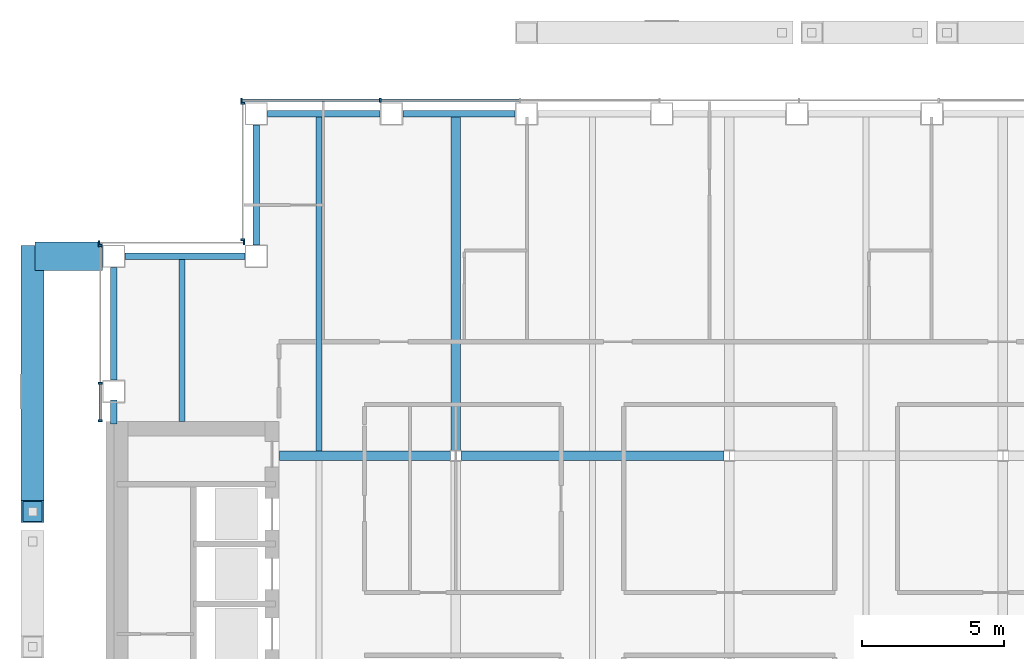
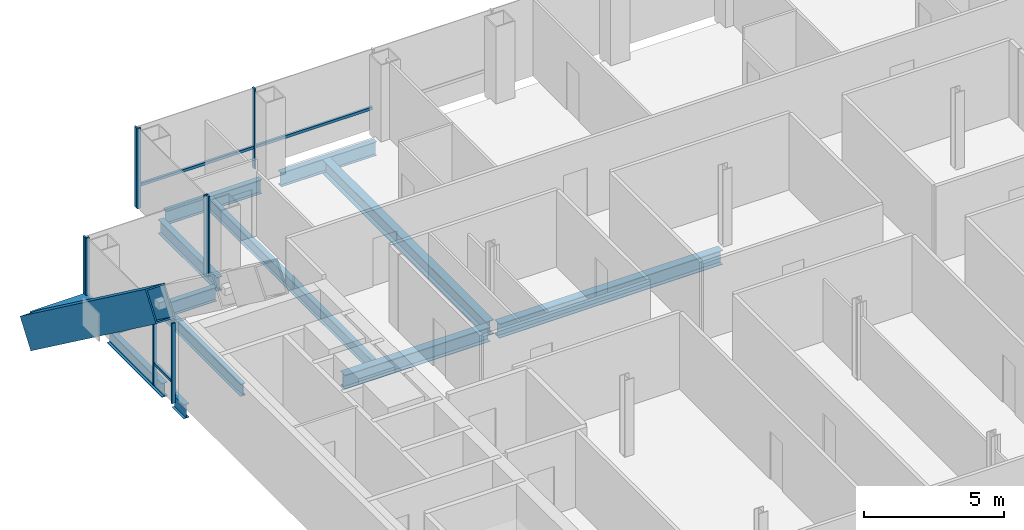
# One storey, part 8 of 17: 13 members, 12 beams, 4 elements without a shape of their own.
"""IFC4 building model written with IfcOpenShell, lengths in metres."""

from ifc_helpers import new_model, si_unit, direction, frame, origin, origin_2d, place, context, subcontext, project, spatial, rectangle, hollow_rectangle, i_section, extrude, material, material_profile, profile_set, type_object, element, aggregate, save


model = new_model("IFC4")

# Units and contexts
model_context = context("Model", 3, precision=1e-05, world=origin(), true_north=direction((0.0, 1.0)))
body_context = subcontext(model_context, "Body", "Model", "MODEL_VIEW")
ifc_project = project(units=[si_unit("LENGTHUNIT", "METRE"), si_unit("AREAUNIT", "SQUARE_METRE"), si_unit("VOLUMEUNIT", "CUBIC_METRE"), si_unit("PLANEANGLEUNIT", "RADIAN"), si_unit("MASSUNIT", "GRAM", prefix="KILO")], contexts=[model_context])

# Site, building, storey
site_placement = place(None, origin())
site = spatial("IfcSite", under=ifc_project, at=site_placement, CompositionType="ELEMENT")
building_placement = place(site_placement, origin())
building = spatial("IfcBuilding", under=site, at=building_placement, Name="Cobrizo Arcos Hotel Tower", CompositionType="ELEMENT")
storey_placement = place(building_placement, frame((0.0, 0.0, 151.5)))
storey = spatial("IfcBuildingStorey", under=building, at=storey_placement, Name="L38", CompositionType="ELEMENT", Elevation=151.5)

# Beam
ifc_material_1 = material(Name="Steel ASTM A572 Grade 50", Category="steel")
ifc_material_profile_1 = material_profile(ifc_material_1, hollow_rectangle(XDim=1.0, YDim=1.0, WallThickness=0.06005859375, at=origin_2d()), Name="BOX 1000X1000X60")
ifc_profile_set_1 = profile_set([ifc_material_profile_1], Name="Steel ASTM A572 Grade 50")
beam_type_1 = type_object("IfcBeamType", Name="BOX 1000X1000X60 brace connector strut", PredefinedType="BEAM", material=ifc_profile_set_1)
beam_1_placement = place(storey_placement, frame((-21.989990234375, 16.60009765625, 0.5), z_axis=(-1.0, 0.0, 0.0), x_axis=(0.0, -1.0, 0.0)))
element("IfcBeam", 1, at=beam_1_placement, inside=storey, type_object=beam_type_1, Name="Perimeter brace stub BS1, zone Z3, west face, offset +16.60 m, L38", PredefinedType="BEAM", context=body_context, shape_type="SweptSolid", body=[
    extrude(hollow_rectangle(XDim=1.0, YDim=1.0, WallThickness=0.06005859375, at=origin_2d()), origin(), (0.0, 0.0, 1.0), 2.380126953125),
])

# Member
ifc_material_profile_2 = material_profile(ifc_material_1, hollow_rectangle(XDim=0.800048828125, YDim=1.300048828125, WallThickness=0.06005859375, at=origin_2d()), Name="BOX 800X1300X60")
ifc_profile_set_2 = profile_set([ifc_material_profile_2], Name="Steel ASTM A572 Grade 50")
member_type_1 = type_object("IfcMemberType", Name="BOX 800X1300X60 perimeter brace", PredefinedType="BRACE", material=ifc_profile_set_2)
member_1_placement = place(storey_placement, frame((-24.449951171875, 16.60009765625, 0.5), z_axis=(0.0, -0.804628681962, 0.593778312305), x_axis=(1.0, 0.0, 0.0)))
element("IfcMember", 2, at=member_1_placement, inside=storey, type_object=member_type_1, Name="Perimeter brace PBR3, zone Z3, west face, no. 06", PredefinedType="BRACE", context=body_context, shape_type="SweptSolid", body=[
    extrude(hollow_rectangle(XDim=0.800048828125, YDim=1.300048828125, WallThickness=0.06005859375, at=origin_2d()), origin(), (0.0, 0.0, 1.0), 11.138916015625),
])

# Curtain wall, members
ifc_material_2 = material(Name="Aluminium 6063-T6 anodised bronze", Category="aluminium")
curtain_wall_type = type_object("IfcCurtainWallType", Name="CW-A guest facade", PredefinedType="NOTDEFINED", material=ifc_material_2)
curtain_wall_1_placement = place(storey_placement, origin())
curtain_wall_1 = element("IfcCurtainWall", 3, at=curtain_wall_1_placement, inside=storey, type_object=curtain_wall_type, Name="CW-A L38 N face", PredefinedType="NOTDEFINED")
ifc_material_profile_3 = material_profile(ifc_material_2, rectangle(XDim=0.14990234375, YDim=0.06005859375, at=origin_2d()), Name="CW-A mullion 150x60")
ifc_profile_set_3 = profile_set([ifc_material_profile_3], Name="Aluminium 6063-T6 anodised bronze")
member_type_2 = type_object("IfcMemberType", Name="CW-A mullion 150x60", PredefinedType="MULLION", material=ifc_profile_set_3)
member_2_placement = place(storey_placement, frame((-12.25, 22.074951171875, 0.0), z_axis=(0.0, 0.0, 1.0), x_axis=(0.0, 1.0, 0.0)))
member_2 = element("IfcMember", 4, at=member_2_placement, type_object=member_type_2, Name="CW-A mullion 7", PredefinedType="MULLION", context=body_context, shape_type="SweptSolid", body=[
    extrude(rectangle(XDim=0.14990234375, YDim=0.06005859375, at=origin_2d()), origin(), (0.0, 0.0, 1.0), 3.5),
])
member_3_placement = place(storey_placement, frame((-17.1201171875, 22.074951171875, 0.0), z_axis=(0.0, 0.0, 1.0), x_axis=(0.0, 1.0, 0.0)))
member_3 = element("IfcMember", 5, at=member_3_placement, type_object=member_type_2, Name="CW-A mullion 8", PredefinedType="MULLION", context=body_context, shape_type="SweptSolid", body=[
    extrude(rectangle(XDim=0.14990234375, YDim=0.06005859375, at=origin_2d()), origin(), (0.0, 0.0, 1.0), 3.5),
])

curtain_wall_2_placement = place(storey_placement, origin())
curtain_wall_2 = element("IfcCurtainWall", 6, at=curtain_wall_2_placement, inside=storey, type_object=curtain_wall_type, Name="CW-A L38 W face", PredefinedType="NOTDEFINED")
member_4_placement = place(storey_placement, frame((-17.074951171875, 21.969970703125, 0.0), z_axis=(0.0, 0.0, 1.0), x_axis=(-1.0, 0.0, 0.0)))
member_4 = element("IfcMember", 7, at=member_4_placement, type_object=member_type_2, Name="CW-A mullion 1", PredefinedType="MULLION", context=body_context, shape_type="SweptSolid", body=[
    extrude(rectangle(XDim=0.14990234375, YDim=0.06005859375, at=origin_2d()), origin(), (0.0, 0.0, 1.0), 3.5),
])
member_5_placement = place(storey_placement, frame((-17.074951171875, 17.179931640625, 0.0), z_axis=(0.0, 0.0, 1.0), x_axis=(-1.0, 0.0, 0.0)))
member_5 = element("IfcMember", 8, at=member_5_placement, type_object=member_type_2, Name="CW-A mullion 2", PredefinedType="MULLION", context=body_context, shape_type="SweptSolid", body=[
    extrude(rectangle(XDim=0.14990234375, YDim=0.06005859375, at=origin_2d()), origin(), (0.0, 0.0, 1.0), 3.5),
])
aggregate(curtain_wall_2, [member_4, member_5])

curtain_wall_3_placement = place(storey_placement, origin())
curtain_wall_3 = element("IfcCurtainWall", 9, at=curtain_wall_3_placement, inside=storey, type_object=curtain_wall_type, Name="CW-A L38 N face", PredefinedType="NOTDEFINED")
member_6_placement = place(storey_placement, frame((-17.030029296875, 17.074951171875, 0.0), z_axis=(0.0, 0.0, 1.0), x_axis=(0.0, 1.0, 0.0)))
member_6 = element("IfcMember", 10, at=member_6_placement, type_object=member_type_2, Name="CW-A mullion 1", PredefinedType="MULLION", context=body_context, shape_type="SweptSolid", body=[
    extrude(rectangle(XDim=0.14990234375, YDim=0.06005859375, at=origin_2d()), origin(), (0.0, 0.0, 1.0), 3.5),
])
member_7_placement = place(storey_placement, frame((-22.1201171875, 17.074951171875, 0.0), z_axis=(0.0, 0.0, 1.0), x_axis=(0.0, 1.0, 0.0)))
member_7 = element("IfcMember", 11, at=member_7_placement, type_object=member_type_2, Name="CW-A mullion 2", PredefinedType="MULLION", context=body_context, shape_type="SweptSolid", body=[
    extrude(rectangle(XDim=0.14990234375, YDim=0.06005859375, at=origin_2d()), origin(), (0.0, 0.0, 1.0), 3.5),
])
aggregate(curtain_wall_3, [member_6, member_7])

curtain_wall_4_placement = place(storey_placement, origin())
curtain_wall_4 = element("IfcCurtainWall", 12, at=curtain_wall_4_placement, inside=storey, type_object=curtain_wall_type, Name="CW-A L38 W face", PredefinedType="NOTDEFINED")
member_8_placement = place(storey_placement, frame((-22.074951171875, 16.969970703125, 0.0), z_axis=(0.0, 0.0, 1.0), x_axis=(-1.0, 0.0, 0.0)))
member_8 = element("IfcMember", 13, at=member_8_placement, type_object=member_type_2, Name="CW-A mullion 1", PredefinedType="MULLION", context=body_context, shape_type="SweptSolid", body=[
    extrude(rectangle(XDim=0.14990234375, YDim=0.06005859375, at=origin_2d()), origin(), (0.0, 0.0, 1.0), 3.5),
])
member_9_placement = place(storey_placement, frame((-22.074951171875, 12.142822265625, 0.0), z_axis=(0.0, 0.0, 1.0), x_axis=(-1.0, 0.0, 0.0)))
member_9 = element("IfcMember", 14, at=member_9_placement, type_object=member_type_2, Name="CW-A mullion 2", PredefinedType="MULLION", context=body_context, shape_type="SweptSolid", body=[
    extrude(rectangle(XDim=0.14990234375, YDim=0.06005859375, at=origin_2d()), origin(), (0.0, 0.0, 1.0), 3.5),
])
member_10_placement = place(storey_placement, frame((-22.074951171875, 10.830078125, 0.0), z_axis=(0.0, 0.0, 1.0), x_axis=(-1.0, 0.0, 0.0)))
member_10 = element("IfcMember", 15, at=member_10_placement, type_object=member_type_2, Name="CW-A mullion 3", PredefinedType="MULLION", context=body_context, shape_type="SweptSolid", body=[
    extrude(rectangle(XDim=0.14990234375, YDim=0.06005859375, at=origin_2d()), origin(), (0.0, 0.0, 1.0), 3.5),
])

# Member
ifc_material_profile_4 = material_profile(ifc_material_2, rectangle(XDim=0.10009765625, YDim=0.1201171875, at=origin_2d()), Name="CW-A transom 120x100")
ifc_profile_set_4 = profile_set([ifc_material_profile_4], Name="Aluminium 6063-T6 anodised bronze")
member_type_3 = type_object("IfcMemberType", Name="CW-A transom 120x100", PredefinedType="USERDEFINED", material=ifc_profile_set_4)
member_11_placement = place(storey_placement, frame((-7.3798828125, 22.074951171875, 0.929931640625), z_axis=(-1.0, 0.0, 0.0), x_axis=(0.0, -1.0, 0.0)))
member_11 = element("IfcMember", 16, at=member_11_placement, type_object=member_type_3, Name="CW-A transom 1386", ObjectType="TRANSOM", PredefinedType="USERDEFINED", context=body_context, shape_type="SweptSolid", body=[
    extrude(rectangle(XDim=0.10009765625, YDim=0.1201171875, at=origin_2d()), origin(), (0.0, 0.0, 1.0), 4.840087890625),
])

member_12_placement = place(storey_placement, frame((-12.280029296875, 22.074951171875, 0.929931640625), z_axis=(-1.0, 0.0, 0.0), x_axis=(0.0, -1.0, 0.0)))
member_12 = element("IfcMember", 17, at=member_12_placement, type_object=member_type_3, Name="CW-A transom 1387", ObjectType="TRANSOM", PredefinedType="USERDEFINED", context=body_context, shape_type="SweptSolid", body=[
    extrude(rectangle(XDim=0.10009765625, YDim=0.1201171875, at=origin_2d()), origin(), (0.0, 0.0, 1.0), 4.81005859375),
])

aggregate(curtain_wall_1, [member_2, member_3, member_11, member_12])

member_13_placement = place(storey_placement, frame((-22.074951171875, 12.11279296875, 0.929931640625), z_axis=(0.0, -1.0, 0.0), x_axis=(1.0, 0.0, 0.0)))
member_13 = element("IfcMember", 18, at=member_13_placement, type_object=member_type_3, Name="CW-A transom 1391", ObjectType="TRANSOM", PredefinedType="USERDEFINED", context=body_context, shape_type="SweptSolid", body=[
    extrude(rectangle(XDim=0.10009765625, YDim=0.1201171875, at=origin_2d()), origin(), (0.0, 0.0, 1.0), 1.252685546875),
])

aggregate(curtain_wall_4, [member_8, member_9, member_10, member_13])

# Beams
ifc_material_3 = material(Name="Steel ASTM A992 Grade 50", Category="steel")
ifc_material_profile_5 = material_profile(ifc_material_3, i_section(OverallWidth=0.209228515625, OverallDepth=0.533447265625, WebThickness=0.01025390625, FlangeThickness=0.015625, at=origin_2d()), Name="W21X62")
ifc_profile_set_5 = profile_set([ifc_material_profile_5], Name="Steel ASTM A992 Grade 50")
beam_type_2 = type_object("IfcBeamType", Name="W21X62 joist", PredefinedType="JOIST", material=ifc_profile_set_5)
beam_2_placement = place(storey_placement, frame((-19.199951171875, 10.81005859375, -0.416748046875), z_axis=(0.0, 1.0, 0.0), x_axis=(-1.0, 0.0, 0.0)))
element("IfcBeam", 19, at=beam_2_placement, inside=storey, type_object=beam_type_2, Name="Floor joist J1, L38, no. 002", PredefinedType="JOIST", context=body_context, shape_type="SweptSolid", body=[
    extrude(i_section(OverallWidth=0.209228515625, OverallDepth=0.533447265625, WebThickness=0.01025390625, FlangeThickness=0.015625, at=origin_2d()), origin(), (0.0, 0.0, 1.0), 5.699951171875),
])
beam_3_placement = place(storey_placement, frame((-14.39990234375, 9.763916015625, -0.416748046875), z_axis=(0.0, 1.0, 0.0), x_axis=(-1.0, 0.0, 0.0)))
element("IfcBeam", 20, at=beam_3_placement, inside=storey, type_object=beam_type_2, Name="Floor joist J1, L38, no. 006", PredefinedType="JOIST", context=body_context, shape_type="SweptSolid", body=[
    extrude(i_section(OverallWidth=0.209228515625, OverallDepth=0.533447265625, WebThickness=0.01025390625, FlangeThickness=0.015625, at=origin_2d()), origin(), (0.0, 0.0, 1.0), 11.74609375),
])
ifc_material_profile_6 = material_profile(ifc_material_3, i_section(OverallWidth=0.32763671875, OverallDepth=0.622314453125, WebThickness=0.015380859375, FlangeThickness=0.0244140625, at=origin_2d()), Name="W24X131")
ifc_profile_set_6 = profile_set([ifc_material_profile_6], Name="Steel ASTM A992 Grade 50")
beam_type_3 = type_object("IfcBeamType", Name="W24X131 girder", PredefinedType="BEAM", material=ifc_profile_set_6)
beam_4_placement = place(storey_placement, frame((-15.7900390625, 9.60009765625, -0.461181640625), z_axis=(1.0, 0.0, 0.0), x_axis=(0.0, 1.0, 0.0)))
element("IfcBeam", 21, at=beam_4_placement, inside=storey, type_object=beam_type_3, Name="Floor girder G1, L38, no. 009", PredefinedType="BEAM", context=body_context, shape_type="SweptSolid", body=[
    extrude(i_section(OverallWidth=0.32763671875, OverallDepth=0.622314453125, WebThickness=0.015380859375, FlangeThickness=0.0244140625, at=origin_2d()), origin(), (0.0, 0.0, 1.0), 6.00341796875),
])
beam_5_placement = place(storey_placement, frame((-9.413330078125, 9.60009765625, -0.461181640625), z_axis=(1.0, 0.0, 0.0), x_axis=(0.0, 1.0, 0.0)))
element("IfcBeam", 22, at=beam_5_placement, inside=storey, type_object=beam_type_3, Name="Floor girder G1, L38, no. 010", PredefinedType="BEAM", context=body_context, shape_type="SweptSolid", body=[
    extrude(i_section(OverallWidth=0.32763671875, OverallDepth=0.622314453125, WebThickness=0.015380859375, FlangeThickness=0.0244140625, at=origin_2d()), origin(), (0.0, 0.0, 1.0), 9.2265625),
])
beam_6_placement = place(storey_placement, frame((-9.60009765625, 9.78662109375, -0.461181640625), z_axis=(0.0, 1.0, 0.0), x_axis=(-1.0, 0.0, 0.0)))
element("IfcBeam", 23, at=beam_6_placement, inside=storey, type_object=beam_type_3, Name="Floor girder G1, L38, no. 016", PredefinedType="BEAM", context=body_context, shape_type="SweptSolid", body=[
    extrude(i_section(OverallWidth=0.32763671875, OverallDepth=0.622314453125, WebThickness=0.015380859375, FlangeThickness=0.0244140625, at=origin_2d()), origin(), (0.0, 0.0, 1.0), 11.723388671875),
])
ifc_material_profile_7 = material_profile(ifc_material_3, i_section(OverallWidth=0.228271484375, OverallDepth=0.607177734375, WebThickness=0.01123046875, FlangeThickness=0.017333984375, at=origin_2d()), Name="W24X76")
ifc_profile_set_7 = profile_set([ifc_material_profile_7], Name="Steel ASTM A992 Grade 50")
beam_type_4 = type_object("IfcBeamType", Name="W24X76 spandrel", PredefinedType="SPANDREL", material=ifc_profile_set_7)
beam_7_placement = place(storey_placement, frame((-7.513916015625, 21.60009765625, -0.45361328125), z_axis=(-1.0, 0.0, 0.0), x_axis=(0.0, -1.0, 0.0)))
element("IfcBeam", 24, at=beam_7_placement, inside=storey, type_object=beam_type_4, Name="Spandrel beam W24X76, L38, no. 021", PredefinedType="SPANDREL", context=body_context, shape_type="SweptSolid", body=[
    extrude(i_section(OverallWidth=0.228271484375, OverallDepth=0.607177734375, WebThickness=0.01123046875, FlangeThickness=0.017333984375, at=origin_2d()), origin(), (0.0, 0.0, 1.0), 3.943115234375),
])
beam_8_placement = place(storey_placement, frame((-12.257080078125, 21.60009765625, -0.45361328125), z_axis=(-1.0, 0.0, 0.0), x_axis=(0.0, -1.0, 0.0)))
element("IfcBeam", 25, at=beam_8_placement, inside=storey, type_object=beam_type_4, Name="Spandrel beam W24X76, L38, no. 022", PredefinedType="SPANDREL", context=body_context, shape_type="SweptSolid", body=[
    extrude(i_section(OverallWidth=0.228271484375, OverallDepth=0.607177734375, WebThickness=0.01123046875, FlangeThickness=0.017333984375, at=origin_2d()), origin(), (0.0, 0.0, 1.0), 3.94287109375),
])
for number, where, z_axis, x_axis, name in (
    (26, (-16.60009765625, 21.199951171875, -0.45361328125), (0.0, -1.0, 0.0), (1.0, 0.0, 0.0), "Spandrel beam W24X76, L38, no. 023"),
    (27, (-17.0, 16.60009765625, -0.45361328125), (-1.0, 0.0, 0.0), (0.0, -1.0, 0.0), "Spandrel beam W24X76, L38, no. 024"),
):
    element("IfcBeam", number, at=place(storey_placement, frame(where, z_axis=z_axis, x_axis=x_axis)), inside=storey, type_object=beam_type_4, Name=name, PredefinedType="SPANDREL", context=body_context, shape_type="SweptSolid", body=[
        extrude(i_section(OverallWidth=0.228271484375, OverallDepth=0.607177734375, WebThickness=0.01123046875, FlangeThickness=0.017333984375, at=origin_2d()), origin(), (0.0, 0.0, 1.0), 4.199951171875),
    ])
beam_9_placement = place(storey_placement, frame((-21.60009765625, 16.199951171875, -0.45361328125), z_axis=(0.0, -1.0, 0.0), x_axis=(1.0, 0.0, 0.0)))
element("IfcBeam", 28, at=beam_9_placement, inside=storey, type_object=beam_type_4, Name="Spandrel beam W24X76, L38, no. 025", PredefinedType="SPANDREL", context=body_context, shape_type="SweptSolid", body=[
    extrude(i_section(OverallWidth=0.228271484375, OverallDepth=0.607177734375, WebThickness=0.01123046875, FlangeThickness=0.017333984375, at=origin_2d()), origin(), (0.0, 0.0, 1.0), 3.94287109375),
])
beam_10_placement = place(storey_placement, frame((-21.60009765625, 11.556884765625, -0.45361328125), z_axis=(0.0, -1.0, 0.0), x_axis=(1.0, 0.0, 0.0)))
element("IfcBeam", 29, at=beam_10_placement, inside=storey, type_object=beam_type_4, Name="Spandrel beam W24X76, L38, no. 026", PredefinedType="SPANDREL", context=body_context, shape_type="SweptSolid", body=[
    extrude(i_section(OverallWidth=0.228271484375, OverallDepth=0.607177734375, WebThickness=0.01123046875, FlangeThickness=0.017333984375, at=origin_2d()), origin(), (0.0, 0.0, 1.0), 0.846923828125),
])

save(model, "model.ifc")
